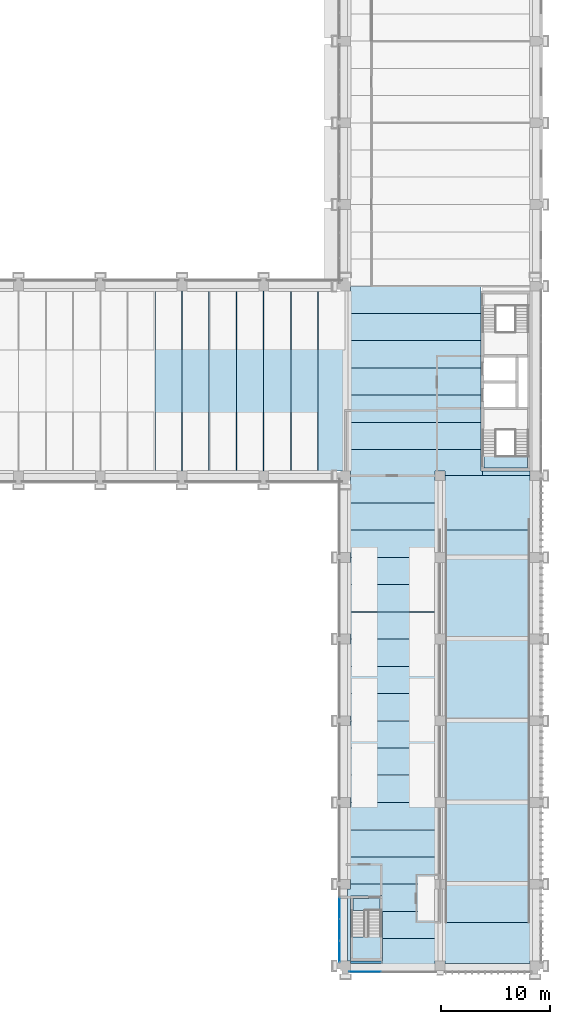
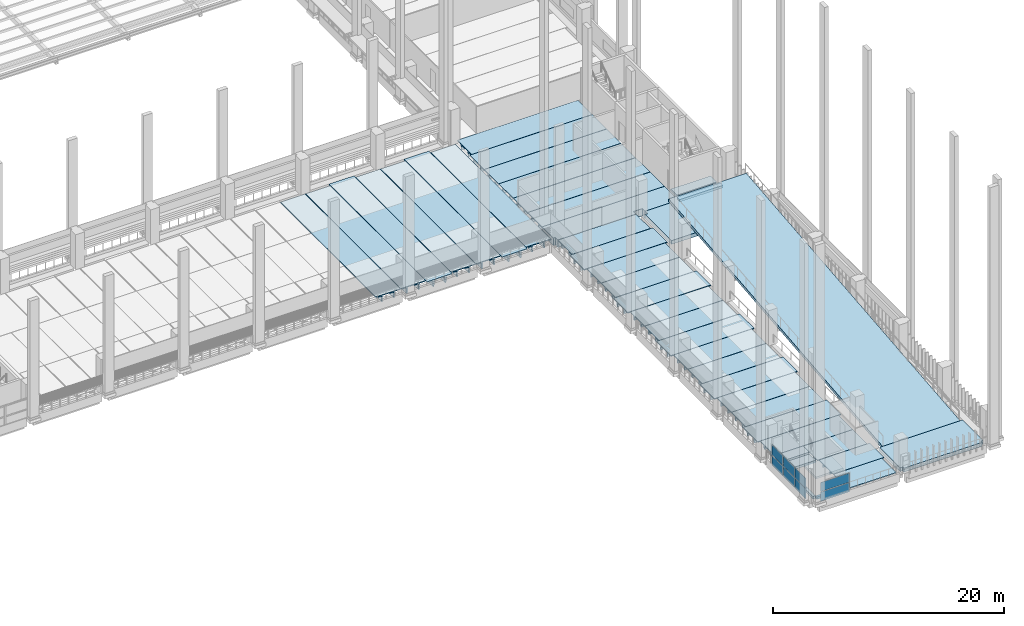
# One storey, part 32 of 67: 41 slabs, 8 plates, 3 elements without a shape of their own.
"""IFC4 building model written with IfcOpenShell, lengths in metres."""

from ifc_helpers import new_model, si_unit, direction, frame, origin, origin_2d, place, context, subcontext, project, spatial, polyline, rectangle, outline, extrude, material, layer, layer_set, material_profile, profile_set, type_object, element, aggregate, save


model = new_model("IFC4")

# Units and contexts
model_context = context("Model", 3, precision=1e-05, world=origin(), true_north=direction((0.0, 1.0)))
body_context = subcontext(model_context, "Body", "Model", "MODEL_VIEW")
ifc_project = project(units=[si_unit("LENGTHUNIT", "METRE"), si_unit("AREAUNIT", "SQUARE_METRE"), si_unit("VOLUMEUNIT", "CUBIC_METRE"), si_unit("PLANEANGLEUNIT", "RADIAN"), si_unit("MASSUNIT", "GRAM", prefix="KILO")], contexts=[model_context])

# Site, building, storey
site_placement = place(None, origin())
site = spatial("IfcSite", under=ifc_project, at=site_placement, CompositionType="ELEMENT")
building_placement = place(site_placement, origin())
building = spatial("IfcBuilding", under=site, at=building_placement, Name="Cour d'Honneur Mobility Palace", CompositionType="ELEMENT")
storey_placement = place(building_placement, frame((0.0, 0.0, 4.5)))
storey = spatial("IfcBuildingStorey", under=building, at=storey_placement, Name="L01", CompositionType="ELEMENT", Elevation=4.5)

# Slabs
ifc_material_1 = material(Name="Concrete C50", Category="concrete")
ifc_layer_1 = layer(ifc_material_1, 0.25)
ifc_layer_set_1 = layer_set([ifc_layer_1], Name="Concrete C50")
slab_type_1 = type_object("IfcSlabType", Name="Cast-in-place Slab 250", PredefinedType="FLOOR", material=ifc_layer_set_1)
slab_1_placement = place(storey_placement, frame((0.0, 0.0, -0.25)))
element("IfcSlab", 1, at=slab_1_placement, inside=storey, type_object=slab_type_1, Name="Cast-in-place slab S1 L01 core", PredefinedType="FLOOR", context=body_context, shape_type="SweptSolid", body=[
    extrude(outline(polyline([(161.85009765625, 45.0), (157.5, 45.0), (157.5, 45.449951171875), (161.85009765625, 45.449951171875), (161.85009765625, 45.0)])), origin(), (0.0, 0.0, 1.0), 0.25),
])
slab_2_placement = place(storey_placement, frame((0.0, 0.0, -0.25)))
element("IfcSlab", 2, at=slab_2_placement, inside=storey, type_object=slab_type_1, Name="Cast-in-place slab S1 L01 core", PredefinedType="FLOOR", context=body_context, shape_type="SweptSolid", body=[
    extrude(outline(polyline([(157.625, 46.77490234375), (161.60009765625, 46.77490234375), (161.60009765625, 45.699951171875), (157.625, 45.699951171875), (157.625, 46.77490234375)])), origin(), (0.0, 0.0, 1.0), 0.25),
])
slab_3_placement = place(storey_placement, frame((0.0, 0.0, -0.25)))
element("IfcSlab", 3, at=slab_3_placement, inside=storey, type_object=slab_type_1, Name="Cast-in-place slab S1 L01 stair strip", PredefinedType="FLOOR", context=body_context, shape_type="SweptSolid", body=[
    extrude(outline(polyline([(145.35009765625, 0.449951171875), (148.199951171875, 0.449951171875), (148.199951171875, 0.22509765625), (145.35009765625, 0.22509765625), (145.35009765625, 0.449951171875)])), origin(), (0.0, 0.0, 1.0), 0.25),
])
slab_4_placement = place(storey_placement, frame((0.0, 0.0, -0.25)))
element("IfcSlab", 4, at=slab_4_placement, inside=storey, type_object=slab_type_1, Name="Cast-in-place slab S1 L01 stair strip", PredefinedType="FLOOR", context=body_context, shape_type="SweptSolid", body=[
    extrude(outline(polyline([(145.35009765625, 6.425048828125), (145.35009765625, 0.449951171875), (145.10009765625, 0.449951171875), (145.10009765625, 7.050048828125), (145.35009765625, 7.050048828125), (145.35009765625, 7.5), (148.199951171875, 7.5), (148.199951171875, 6.425048828125), (145.35009765625, 6.425048828125)])), origin(), (0.0, 0.0, 1.0), 0.25),
])
slab_5_placement = place(storey_placement, frame((0.0, 0.0, -0.25)))
element("IfcSlab", 5, at=slab_5_placement, inside=storey, type_object=slab_type_1, Name="Cast-in-place slab S1 L01 stair strip", PredefinedType="FLOOR", context=body_context, shape_type="SweptSolid", body=[
    extrude(outline(polyline([(145.60009765625, 5.10009765625), (145.60009765625, 6.175048828125), (148.074951171875, 6.175048828125), (148.074951171875, 5.10009765625), (145.60009765625, 5.10009765625)])), origin(), (0.0, 0.0, 1.0), 0.25),
])
ifc_material_2 = material(Name="Concrete C50", Category="concrete")
ifc_layer_2 = layer(ifc_material_2, 0.39990234375)
ifc_layer_set_2 = layer_set([ifc_layer_2], Name="Concrete C50")
slab_type_2 = type_object("IfcSlabType", Name="Cast-in-place Slab 400", PredefinedType="LANDING", material=ifc_layer_set_2)
slab_6_placement = place(storey_placement, frame((0.0, 0.0, -0.39990234375)))
element("IfcSlab", 6, at=slab_6_placement, inside=storey, type_object=slab_type_2, Name="Cast-in-place slab S3 L01 landing", PredefinedType="LANDING", context=body_context, shape_type="SweptSolid", body=[
    extrude(outline(polyline([(161.85009765625, 0.449951171875), (161.85009765625, 0.22509765625), (154.050048828125, 0.22509765625), (154.050048828125, 0.449951171875), (153.800048828125, 0.449951171875), (153.800048828125, 4.0), (162.10009765625, 4.0), (162.10009765625, 0.449951171875), (161.85009765625, 0.449951171875)])), origin(), (0.0, 0.0, 1.0), 0.39990234375),
])
slab_7_placement = place(storey_placement, frame((0.0, 0.0, -0.39990234375)))
element("IfcSlab", 7, at=slab_7_placement, inside=storey, type_object=slab_type_2, Name="Cast-in-place slab S3 L01 landing", PredefinedType="LANDING", context=body_context, shape_type="SweptSolid", body=[
    extrude(outline(polyline([(162.10009765625, 44.550048828125), (162.10009765625, 40.0), (153.800048828125, 40.0), (153.800048828125, 44.550048828125), (154.050048828125, 44.550048828125), (154.050048828125, 45.0), (161.85009765625, 45.0), (161.85009765625, 44.550048828125), (162.10009765625, 44.550048828125)])), origin(), (0.0, 0.0, 1.0), 0.39990234375),
])
ifc_material_3 = material(Name="Concrete C50", Category="concrete")
ifc_layer_3 = layer(ifc_material_3, 0.800048828125)
ifc_layer_set_3 = layer_set([ifc_layer_3], Name="Concrete C50")
slab_type_3 = type_object("IfcSlabType", Name="Cast-in-place Slab 800", PredefinedType="FLOOR", material=ifc_layer_set_3)
slab_8_placement = place(storey_placement, frame((0.0, 0.0, -0.800048828125)))
element("IfcSlab", 8, at=slab_8_placement, inside=storey, type_object=slab_type_3, Name="Cast-in-place slab S2 L01 closure", PredefinedType="FLOOR", context=body_context, shape_type="SweptSolid", body=[
    extrude(outline(polyline([(154.050048828125, 45.449951171875), (153.14990234375, 45.449951171875), (153.14990234375, 45.0), (145.35009765625, 45.0), (145.35009765625, 45.449951171875), (145.14990234375, 45.449951171875), (145.14990234375, 47.39990234375), (157.375, 47.39990234375), (157.375, 45.449951171875), (157.5, 45.449951171875), (157.5, 45.0), (154.050048828125, 45.0), (154.050048828125, 45.449951171875)])), origin(), (0.0, 0.0, 1.0), 0.800048828125),
])

# Curtain wall, plates
ifc_material_4 = material(Name="Aluminium and glass", Category="aluminium")
ifc_layer_4 = layer(ifc_material_4, 0.10009765625)
ifc_layer_set_4 = layer_set([ifc_layer_4], Name="Aluminium and glass")
curtain_wall_type = type_object("IfcCurtainWallType", Name="Curtain wall run", PredefinedType="NOTDEFINED", material=ifc_layer_set_4)
curtain_wall_1_placement = place(storey_placement, origin())
curtain_wall_1 = element("IfcCurtainWall", 9, at=curtain_wall_1_placement, inside=storey, type_object=curtain_wall_type, Name="Curtain wall CW-135", PredefinedType="NOTDEFINED")
ifc_material_5 = material(Name="Double glazing", Category="glass")
ifc_layer_5 = layer(ifc_material_5, 0.028076171875)
ifc_layer_set_5 = layer_set([ifc_layer_5], Name="Double glazing")
plate_type = type_object("IfcPlateType", Name="Curtain wall panel", PredefinedType="CURTAIN_PANEL", material=ifc_layer_set_5)
plate_1_placement = place(storey_placement, frame((144.35009765625, 5.284912109375, 0.06005859375), z_axis=(0.0, 0.0, 1.0), x_axis=(0.0, -1.0, 0.0)))
plate_1 = element("IfcPlate", 10, at=plate_1_placement, type_object=plate_type, Name="CW-135 panel 1.1", PredefinedType="CURTAIN_PANEL", context=body_context, shape_type="SweptSolid", body=[
    extrude(rectangle(XDim=1.909912109375, YDim=0.028076171875, at=origin_2d()), origin(), (0.0, 0.0, 1.0), 1.06005859375),
])
plate_2_placement = place(storey_placement, frame((144.35009765625, 5.284912109375, 1.179931640625), z_axis=(0.0, 0.0, 1.0), x_axis=(0.0, -1.0, 0.0)))
plate_2 = element("IfcPlate", 11, at=plate_2_placement, type_object=plate_type, Name="CW-135 panel 1.2", PredefinedType="CURTAIN_PANEL", context=body_context, shape_type="SweptSolid", body=[
    extrude(rectangle(XDim=1.909912109375, YDim=0.028076171875, at=origin_2d()), origin(), (0.0, 0.0, 1.0), 1.06005859375),
])
plate_3_placement = place(storey_placement, frame((144.35009765625, 3.300048828125, 0.06005859375), z_axis=(0.0, 0.0, 1.0), x_axis=(0.0, -1.0, 0.0)))
plate_3 = element("IfcPlate", 12, at=plate_3_placement, type_object=plate_type, Name="CW-135 panel 2.1", PredefinedType="CURTAIN_PANEL", context=body_context, shape_type="SweptSolid", body=[
    extrude(rectangle(XDim=1.93994140625, YDim=0.028076171875, at=origin_2d()), origin(), (0.0, 0.0, 1.0), 1.06005859375),
])
plate_4_placement = place(storey_placement, frame((144.35009765625, 3.300048828125, 1.179931640625), z_axis=(0.0, 0.0, 1.0), x_axis=(0.0, -1.0, 0.0)))
plate_4 = element("IfcPlate", 13, at=plate_4_placement, type_object=plate_type, Name="CW-135 panel 2.2", PredefinedType="CURTAIN_PANEL", context=body_context, shape_type="SweptSolid", body=[
    extrude(rectangle(XDim=1.93994140625, YDim=0.028076171875, at=origin_2d()), origin(), (0.0, 0.0, 1.0), 1.06005859375),
])
plate_5_placement = place(storey_placement, frame((144.35009765625, 1.31494140625, 0.06005859375), z_axis=(0.0, 0.0, 1.0), x_axis=(0.0, -1.0, 0.0)))
plate_5 = element("IfcPlate", 14, at=plate_5_placement, type_object=plate_type, Name="CW-135 panel 3.1", PredefinedType="CURTAIN_PANEL", context=body_context, shape_type="SweptSolid", body=[
    extrude(rectangle(XDim=1.909912109375, YDim=0.028076171875, at=origin_2d()), origin(), (0.0, 0.0, 1.0), 1.06005859375),
])
plate_6_placement = place(storey_placement, frame((144.35009765625, 1.31494140625, 1.179931640625), z_axis=(0.0, 0.0, 1.0), x_axis=(0.0, -1.0, 0.0)))
plate_6 = element("IfcPlate", 15, at=plate_6_placement, type_object=plate_type, Name="CW-135 panel 3.2", PredefinedType="CURTAIN_PANEL", context=body_context, shape_type="SweptSolid", body=[
    extrude(rectangle(XDim=1.909912109375, YDim=0.028076171875, at=origin_2d()), origin(), (0.0, 0.0, 1.0), 1.06005859375),
])
aggregate(curtain_wall_1, [plate_1, plate_2, plate_3, plate_4, plate_5, plate_6])

curtain_wall_2_placement = place(storey_placement, origin())
curtain_wall_2 = element("IfcCurtainWall", 16, at=curtain_wall_2_placement, inside=storey, type_object=curtain_wall_type, Name="Curtain wall CW-136", PredefinedType="NOTDEFINED")
plate_7_placement = place(storey_placement, frame((146.699951171875, -0.550048828125, 0.06005859375), z_axis=(0.0, 0.0, 1.0), x_axis=(1.0, 0.0, 0.0)))
plate_7 = element("IfcPlate", 17, at=plate_7_placement, type_object=plate_type, Name="CW-136 panel 1.1", PredefinedType="CURTAIN_PANEL", context=body_context, shape_type="SweptSolid", body=[
    extrude(rectangle(XDim=2.8798828125, YDim=0.028076171875, at=origin_2d()), origin(), (0.0, 0.0, 1.0), 0.9599609375),
])
plate_8_placement = place(storey_placement, frame((146.699951171875, -0.550048828125, 1.080078125), z_axis=(0.0, 0.0, 1.0), x_axis=(1.0, 0.0, 0.0)))
plate_8 = element("IfcPlate", 18, at=plate_8_placement, type_object=plate_type, Name="CW-136 panel 1.2", PredefinedType="CURTAIN_PANEL", context=body_context, shape_type="SweptSolid", body=[
    extrude(rectangle(XDim=2.8798828125, YDim=0.028076171875, at=origin_2d()), origin(), (0.0, 0.0, 1.0), 0.9599609375),
])
aggregate(curtain_wall_2, [plate_7, plate_8])

# Slabs
ifc_material_6 = material(Name="Concrete C45", Category="concrete")
ifc_material_profile_1 = material_profile(ifc_material_6, outline(polyline([(-1.2451171875, 0.0), (1.2451171875, 0.0), (1.2451171875, -0.074951171875), (0.659912109375, -0.074951171875), (0.639892578125, -0.39990234375), (0.56005859375, -0.39990234375), (0.5400390625, -0.074951171875), (-0.5400390625, -0.074951171875), (-0.56005859375, -0.39990234375), (-0.639892578125, -0.39990234375), (-0.659912109375, -0.074951171875), (-1.2451171875, -0.074951171875), (-1.2451171875, 0.0)])), Name="DT 2490x400")
ifc_profile_set_1 = profile_set([ifc_material_profile_1], Name="Concrete C45")
slab_type_4 = type_object("IfcSlabType", Name="DT 2490x400", PredefinedType="FLOOR", material=ifc_profile_set_1)
slab_9_placement = place(storey_placement, frame((148.324951171875, 1.25, 0.0), z_axis=(1.0, 0.0, 0.0), x_axis=(0.0, 1.0, 0.0)))
element("IfcSlab", 19, at=slab_9_placement, inside=storey, type_object=slab_type_4, Name="Double tee DT-SE1 L01", PredefinedType="FLOOR", context=body_context, shape_type="SweptSolid", body=[
    extrude(outline(polyline([(-1.2451171875, 0.0), (1.2451171875, 0.0), (1.2451171875, -0.074951171875), (0.659912109375, -0.074951171875), (0.639892578125, -0.39990234375), (0.56005859375, -0.39990234375), (0.5400390625, -0.074951171875), (-0.5400390625, -0.074951171875), (-0.56005859375, -0.39990234375), (-0.639892578125, -0.39990234375), (-0.659912109375, -0.074951171875), (-1.2451171875, -0.074951171875), (-1.2451171875, 0.0)])), origin(), (0.0, 0.0, 1.0), 4.824951171875),
])
slab_10_placement = place(storey_placement, frame((148.324951171875, 3.75, 0.0), z_axis=(1.0, 0.0, 0.0), x_axis=(0.0, 1.0, 0.0)))
element("IfcSlab", 20, at=slab_10_placement, inside=storey, type_object=slab_type_4, Name="Double tee DT-SE2 L01", PredefinedType="FLOOR", context=body_context, shape_type="SweptSolid", body=[
    extrude(outline(polyline([(-1.2451171875, 0.0), (1.2451171875, 0.0), (1.2451171875, -0.074951171875), (0.659912109375, -0.074951171875), (0.639892578125, -0.39990234375), (0.56005859375, -0.39990234375), (0.5400390625, -0.074951171875), (-0.5400390625, -0.074951171875), (-0.56005859375, -0.39990234375), (-0.639892578125, -0.39990234375), (-0.659912109375, -0.074951171875), (-1.2451171875, -0.074951171875), (-1.2451171875, 0.0)])), origin(), (0.0, 0.0, 1.0), 5.074951171875),
])
slab_11_placement = place(storey_placement, frame((148.199951171875, 6.25, 0.0), z_axis=(1.0, 0.0, 0.0), x_axis=(0.0, 1.0, 0.0)))
element("IfcSlab", 21, at=slab_11_placement, inside=storey, type_object=slab_type_4, Name="Double tee DT-SE3 L01", PredefinedType="FLOOR", context=body_context, shape_type="SweptSolid", body=[
    extrude(outline(polyline([(-1.2451171875, 0.0), (1.2451171875, 0.0), (1.2451171875, -0.074951171875), (0.659912109375, -0.074951171875), (0.639892578125, -0.39990234375), (0.56005859375, -0.39990234375), (0.5400390625, -0.074951171875), (-0.5400390625, -0.074951171875), (-0.56005859375, -0.39990234375), (-0.639892578125, -0.39990234375), (-0.659912109375, -0.074951171875), (-1.2451171875, -0.074951171875), (-1.2451171875, 0.0)])), origin(), (0.0, 0.0, 1.0), 4.949951171875),
])
ifc_material_7 = material(Name="Concrete C45", Category="concrete")
ifc_material_profile_2 = material_profile(ifc_material_7, outline(polyline([(-1.2451171875, 0.0), (1.2451171875, 0.0), (1.2451171875, -0.10009765625), (0.669921875, -0.10009765625), (0.64501953125, -0.5), (0.554931640625, -0.5), (0.530029296875, -0.10009765625), (-0.530029296875, -0.10009765625), (-0.554931640625, -0.5), (-0.64501953125, -0.5), (-0.669921875, -0.10009765625), (-1.2451171875, -0.10009765625), (-1.2451171875, 0.0)])), Name="DT 2490x500")
ifc_profile_set_2 = profile_set([ifc_material_profile_2], Name="Concrete C45")
slab_type_5 = type_object("IfcSlabType", Name="DT 2490x500", PredefinedType="FLOOR", material=ifc_profile_set_2)
slab_12_placement = place(storey_placement, frame((145.35009765625, 8.75, 0.0), z_axis=(1.0, 0.0, 0.0), x_axis=(0.0, 1.0, 0.0)))
element("IfcSlab", 22, at=slab_12_placement, inside=storey, type_object=slab_type_5, Name="Double tee DT-SE4 L01", PredefinedType="FLOOR", context=body_context, shape_type="SweptSolid", body=[
    extrude(outline(polyline([(-1.2451171875, 0.0), (1.2451171875, 0.0), (1.2451171875, -0.10009765625), (0.669921875, -0.10009765625), (0.64501953125, -0.5), (0.554931640625, -0.5), (0.530029296875, -0.10009765625), (-0.530029296875, -0.10009765625), (-0.554931640625, -0.5), (-0.64501953125, -0.5), (-0.669921875, -0.10009765625), (-1.2451171875, -0.10009765625), (-1.2451171875, 0.0)])), origin(), (0.0, 0.0, 1.0), 7.7998046875),
])
slab_13_placement = place(storey_placement, frame((145.10009765625, 11.25, 0.0), z_axis=(1.0, 0.0, 0.0), x_axis=(0.0, 1.0, 0.0)))
element("IfcSlab", 23, at=slab_13_placement, inside=storey, type_object=slab_type_5, Name="Double tee DT-SE5 L01", PredefinedType="FLOOR", context=body_context, shape_type="SweptSolid", body=[
    extrude(outline(polyline([(-1.2451171875, 0.0), (1.2451171875, 0.0), (1.2451171875, -0.10009765625), (0.669921875, -0.10009765625), (0.64501953125, -0.5), (0.554931640625, -0.5), (0.530029296875, -0.10009765625), (-0.530029296875, -0.10009765625), (-0.554931640625, -0.5), (-0.64501953125, -0.5), (-0.669921875, -0.10009765625), (-1.2451171875, -0.10009765625), (-1.2451171875, 0.0)])), origin(), (0.0, 0.0, 1.0), 8.2998046875),
])
for number, where, z_axis, x_axis, name in (
    (24, (145.35009765625, 13.75, 0.0), (1.0, 0.0, 0.0), (0.0, 1.0, 0.0), "Double tee DT-SE6 L01"),
    (25, (145.35009765625, 16.25, 0.0), (1.0, 0.0, 0.0), (0.0, 1.0, 0.0), "Double tee DT-SE7 L01"),
):
    element("IfcSlab", number, at=place(storey_placement, frame(where, z_axis=z_axis, x_axis=x_axis)), inside=storey, type_object=slab_type_5, Name=name, PredefinedType="FLOOR", context=body_context, shape_type="SweptSolid", body=[
        extrude(outline(polyline([(-1.2451171875, 0.0), (1.2451171875, 0.0), (1.2451171875, -0.10009765625), (0.669921875, -0.10009765625), (0.64501953125, -0.5), (0.554931640625, -0.5), (0.530029296875, -0.10009765625), (-0.530029296875, -0.10009765625), (-0.554931640625, -0.5), (-0.64501953125, -0.5), (-0.669921875, -0.10009765625), (-1.2451171875, -0.10009765625), (-1.2451171875, 0.0)])), origin(), (0.0, 0.0, 1.0), 7.7998046875),
    ])
slab_14_placement = place(storey_placement, frame((145.10009765625, 18.75, 0.0), z_axis=(1.0, 0.0, 0.0), x_axis=(0.0, 1.0, 0.0)))
element("IfcSlab", 26, at=slab_14_placement, inside=storey, type_object=slab_type_5, Name="Double tee DT-SE8 L01", PredefinedType="FLOOR", context=body_context, shape_type="SweptSolid", body=[
    extrude(outline(polyline([(-1.2451171875, 0.0), (1.2451171875, 0.0), (1.2451171875, -0.10009765625), (0.669921875, -0.10009765625), (0.64501953125, -0.5), (0.554931640625, -0.5), (0.530029296875, -0.10009765625), (-0.530029296875, -0.10009765625), (-0.554931640625, -0.5), (-0.64501953125, -0.5), (-0.669921875, -0.10009765625), (-1.2451171875, -0.10009765625), (-1.2451171875, 0.0)])), origin(), (0.0, 0.0, 1.0), 8.2998046875),
])
for number, where, z_axis, x_axis, name in (
    (27, (145.35009765625, 21.25, 0.0), (1.0, 0.0, 0.0), (0.0, 1.0, 0.0), "Double tee DT-SE9 L01"),
    (28, (145.35009765625, 23.75, 0.0), (1.0, 0.0, 0.0), (0.0, 1.0, 0.0), "Double tee DT-SE10 L01"),
):
    element("IfcSlab", number, at=place(storey_placement, frame(where, z_axis=z_axis, x_axis=x_axis)), inside=storey, type_object=slab_type_5, Name=name, PredefinedType="FLOOR", context=body_context, shape_type="SweptSolid", body=[
        extrude(outline(polyline([(-1.2451171875, 0.0), (1.2451171875, 0.0), (1.2451171875, -0.10009765625), (0.669921875, -0.10009765625), (0.64501953125, -0.5), (0.554931640625, -0.5), (0.530029296875, -0.10009765625), (-0.530029296875, -0.10009765625), (-0.554931640625, -0.5), (-0.64501953125, -0.5), (-0.669921875, -0.10009765625), (-1.2451171875, -0.10009765625), (-1.2451171875, 0.0)])), origin(), (0.0, 0.0, 1.0), 7.7998046875),
    ])
slab_15_placement = place(storey_placement, frame((145.10009765625, 26.25, 0.0), z_axis=(1.0, 0.0, 0.0), x_axis=(0.0, 1.0, 0.0)))
element("IfcSlab", 29, at=slab_15_placement, inside=storey, type_object=slab_type_5, Name="Double tee DT-SE11 L01", PredefinedType="FLOOR", context=body_context, shape_type="SweptSolid", body=[
    extrude(outline(polyline([(-1.2451171875, 0.0), (1.2451171875, 0.0), (1.2451171875, -0.10009765625), (0.669921875, -0.10009765625), (0.64501953125, -0.5), (0.554931640625, -0.5), (0.530029296875, -0.10009765625), (-0.530029296875, -0.10009765625), (-0.554931640625, -0.5), (-0.64501953125, -0.5), (-0.669921875, -0.10009765625), (-1.2451171875, -0.10009765625), (-1.2451171875, 0.0)])), origin(), (0.0, 0.0, 1.0), 8.2998046875),
])
for number, where, z_axis, x_axis, name in (
    (30, (145.35009765625, 28.75, 0.0), (1.0, 0.0, 0.0), (0.0, 1.0, 0.0), "Double tee DT-SE12 L01"),
    (31, (145.35009765625, 31.25, 0.0), (1.0, 0.0, 0.0), (0.0, 1.0, 0.0), "Double tee DT-SE13 L01"),
):
    element("IfcSlab", number, at=place(storey_placement, frame(where, z_axis=z_axis, x_axis=x_axis)), inside=storey, type_object=slab_type_5, Name=name, PredefinedType="FLOOR", context=body_context, shape_type="SweptSolid", body=[
        extrude(outline(polyline([(-1.2451171875, 0.0), (1.2451171875, 0.0), (1.2451171875, -0.10009765625), (0.669921875, -0.10009765625), (0.64501953125, -0.5), (0.554931640625, -0.5), (0.530029296875, -0.10009765625), (-0.530029296875, -0.10009765625), (-0.554931640625, -0.5), (-0.64501953125, -0.5), (-0.669921875, -0.10009765625), (-1.2451171875, -0.10009765625), (-1.2451171875, 0.0)])), origin(), (0.0, 0.0, 1.0), 7.7998046875),
    ])
slab_16_placement = place(storey_placement, frame((145.10009765625, 33.75, 0.0), z_axis=(1.0, 0.0, 0.0), x_axis=(0.0, 1.0, 0.0)))
element("IfcSlab", 32, at=slab_16_placement, inside=storey, type_object=slab_type_5, Name="Double tee DT-SE14 L01", PredefinedType="FLOOR", context=body_context, shape_type="SweptSolid", body=[
    extrude(outline(polyline([(-1.2451171875, 0.0), (1.2451171875, 0.0), (1.2451171875, -0.10009765625), (0.669921875, -0.10009765625), (0.64501953125, -0.5), (0.554931640625, -0.5), (0.530029296875, -0.10009765625), (-0.530029296875, -0.10009765625), (-0.554931640625, -0.5), (-0.64501953125, -0.5), (-0.669921875, -0.10009765625), (-1.2451171875, -0.10009765625), (-1.2451171875, 0.0)])), origin(), (0.0, 0.0, 1.0), 8.2998046875),
])
for number, where, z_axis, x_axis, name in (
    (33, (145.35009765625, 36.25, 0.0), (1.0, 0.0, 0.0), (0.0, 1.0, 0.0), "Double tee DT-SE15 L01"),
    (34, (145.35009765625, 38.75, 0.0), (1.0, 0.0, 0.0), (0.0, 1.0, 0.0), "Double tee DT-SE16 L01"),
):
    element("IfcSlab", number, at=place(storey_placement, frame(where, z_axis=z_axis, x_axis=x_axis)), inside=storey, type_object=slab_type_5, Name=name, PredefinedType="FLOOR", context=body_context, shape_type="SweptSolid", body=[
        extrude(outline(polyline([(-1.2451171875, 0.0), (1.2451171875, 0.0), (1.2451171875, -0.10009765625), (0.669921875, -0.10009765625), (0.64501953125, -0.5), (0.554931640625, -0.5), (0.530029296875, -0.10009765625), (-0.530029296875, -0.10009765625), (-0.554931640625, -0.5), (-0.64501953125, -0.5), (-0.669921875, -0.10009765625), (-1.2451171875, -0.10009765625), (-1.2451171875, 0.0)])), origin(), (0.0, 0.0, 1.0), 7.7998046875),
    ])
slab_17_placement = place(storey_placement, frame((145.10009765625, 41.25, 0.0), z_axis=(1.0, 0.0, 0.0), x_axis=(0.0, 1.0, 0.0)))
element("IfcSlab", 35, at=slab_17_placement, inside=storey, type_object=slab_type_5, Name="Double tee DT-SE17 L01", PredefinedType="FLOOR", context=body_context, shape_type="SweptSolid", body=[
    extrude(outline(polyline([(-1.2451171875, 0.0), (1.2451171875, 0.0), (1.2451171875, -0.10009765625), (0.669921875, -0.10009765625), (0.64501953125, -0.5), (0.554931640625, -0.5), (0.530029296875, -0.10009765625), (-0.530029296875, -0.10009765625), (-0.554931640625, -0.5), (-0.64501953125, -0.5), (-0.669921875, -0.10009765625), (-1.2451171875, -0.10009765625), (-1.2451171875, 0.0)])), origin(), (0.0, 0.0, 1.0), 8.2998046875),
])
slab_18_placement = place(storey_placement, frame((145.35009765625, 43.75, 0.0), z_axis=(1.0, 0.0, 0.0), x_axis=(0.0, 1.0, 0.0)))
element("IfcSlab", 36, at=slab_18_placement, inside=storey, type_object=slab_type_5, Name="Double tee DT-SE18 L01", PredefinedType="FLOOR", context=body_context, shape_type="SweptSolid", body=[
    extrude(outline(polyline([(-1.2451171875, 0.0), (1.2451171875, 0.0), (1.2451171875, -0.10009765625), (0.669921875, -0.10009765625), (0.64501953125, -0.5), (0.554931640625, -0.5), (0.530029296875, -0.10009765625), (-0.530029296875, -0.10009765625), (-0.554931640625, -0.5), (-0.64501953125, -0.5), (-0.669921875, -0.10009765625), (-1.2451171875, -0.10009765625), (-1.2451171875, 0.0)])), origin(), (0.0, 0.0, 1.0), 7.7998046875),
])
ifc_material_8 = material(Name="Concrete C45", Category="concrete")
ifc_material_profile_3 = material_profile(ifc_material_8, outline(polyline([(-1.2451171875, 0.0), (1.2451171875, 0.0), (1.2451171875, -0.10009765625), (0.679931640625, -0.10009765625), (0.64990234375, -0.64990234375), (0.550048828125, -0.64990234375), (0.52001953125, -0.10009765625), (-0.52001953125, -0.10009765625), (-0.550048828125, -0.64990234375), (-0.64990234375, -0.64990234375), (-0.679931640625, -0.10009765625), (-1.2451171875, -0.10009765625), (-1.2451171875, 0.0)])), Name="DT 2490x650")
ifc_profile_set_3 = profile_set([ifc_material_profile_3], Name="Concrete C45")
slab_type_6 = type_object("IfcSlabType", Name="DT 2490x650", PredefinedType="FLOOR", material=ifc_profile_set_3)
for number, where, z_axis, x_axis, name in (
    (37, (145.14990234375, 48.64990234375, 0.0), (1.0, 0.0, 0.0), (0.0, 1.0, 0.0), "Double tee DT-JE1 L01"),
    (38, (145.14990234375, 51.14990234375, 0.0), (1.0, 0.0, 0.0), (0.0, 1.0, 0.0), "Double tee DT-JE2 L01"),
    (39, (145.14990234375, 53.64990234375, 0.0), (1.0, 0.0, 0.0), (0.0, 1.0, 0.0), "Double tee DT-JE3 L01"),
    (40, (145.14990234375, 56.14990234375, 0.0), (1.0, 0.0, 0.0), (0.0, 1.0, 0.0), "Double tee DT-JE4 L01"),
    (41, (145.14990234375, 58.64990234375, 0.0), (1.0, 0.0, 0.0), (0.0, 1.0, 0.0), "Double tee DT-JE5 L01"),
):
    element("IfcSlab", number, at=place(storey_placement, frame(where, z_axis=z_axis, x_axis=x_axis)), inside=storey, type_object=slab_type_6, Name=name, PredefinedType="FLOOR", context=body_context, shape_type="SweptSolid", body=[
        extrude(outline(polyline([(-1.2451171875, 0.0), (1.2451171875, 0.0), (1.2451171875, -0.10009765625), (0.679931640625, -0.10009765625), (0.64990234375, -0.64990234375), (0.550048828125, -0.64990234375), (0.52001953125, -0.10009765625), (-0.52001953125, -0.10009765625), (-0.550048828125, -0.64990234375), (-0.64990234375, -0.64990234375), (-0.679931640625, -0.10009765625), (-1.2451171875, -0.10009765625), (-1.2451171875, 0.0)])), origin(), (0.0, 0.0, 1.0), 12.22509765625),
    ])
slab_19_placement = place(storey_placement, frame((145.35009765625, 61.14990234375, 0.0), z_axis=(1.0, 0.0, 0.0), x_axis=(0.0, 1.0, 0.0)))
element("IfcSlab", 42, at=slab_19_placement, inside=storey, type_object=slab_type_6, Name="Double tee DT-JE6 L01", PredefinedType="FLOOR", context=body_context, shape_type="SweptSolid", body=[
    extrude(outline(polyline([(-1.2451171875, 0.0), (1.2451171875, 0.0), (1.2451171875, -0.10009765625), (0.679931640625, -0.10009765625), (0.64990234375, -0.64990234375), (0.550048828125, -0.64990234375), (0.52001953125, -0.10009765625), (-0.52001953125, -0.10009765625), (-0.550048828125, -0.64990234375), (-0.64990234375, -0.64990234375), (-0.679931640625, -0.10009765625), (-1.2451171875, -0.10009765625), (-1.2451171875, 0.0)])), origin(), (0.0, 0.0, 1.0), 12.02490234375),
])
ifc_material_9 = material(Name="Concrete C45", Category="concrete")
ifc_material_profile_4 = material_profile(ifc_material_9, outline(polyline([(-1.2451171875, 0.0), (1.2451171875, 0.0), (1.2451171875, -0.10009765625), (0.679931640625, -0.10009765625), (0.64990234375, -0.75), (0.550048828125, -0.75), (0.52001953125, -0.10009765625), (-0.52001953125, -0.10009765625), (-0.550048828125, -0.75), (-0.64990234375, -0.75), (-0.679931640625, -0.10009765625), (-1.2451171875, -0.10009765625), (-1.2451171875, 0.0)])), Name="DT 2490x750")
ifc_profile_set_4 = profile_set([ifc_material_profile_4], Name="Concrete C45")
slab_type_7 = type_object("IfcSlabType", Name="DT 2490x750", PredefinedType="FLOOR", material=ifc_profile_set_4)
for number, where, z_axis, x_axis, name in (
    (43, (128.64990234375, 45.449951171875, 0.0), (0.0, 1.0, 0.0), (-1.0, 0.0, 0.0), "Double tee DT-C45 L01"),
    (44, (131.14990234375, 45.449951171875, 0.0), (0.0, 1.0, 0.0), (-1.0, 0.0, 0.0), "Double tee DT-C46 L01"),
):
    element("IfcSlab", number, at=place(storey_placement, frame(where, z_axis=z_axis, x_axis=x_axis)), inside=storey, type_object=slab_type_7, Name=name, PredefinedType="FLOOR", context=body_context, shape_type="SweptSolid", body=[
        extrude(outline(polyline([(-1.2451171875, 0.0), (1.2451171875, 0.0), (1.2451171875, -0.10009765625), (0.679931640625, -0.10009765625), (0.64990234375, -0.75), (0.550048828125, -0.75), (0.52001953125, -0.10009765625), (-0.52001953125, -0.10009765625), (-0.550048828125, -0.75), (-0.64990234375, -0.75), (-0.679931640625, -0.10009765625), (-1.2451171875, -0.10009765625), (-1.2451171875, 0.0)])), origin(), (0.0, 0.0, 1.0), 16.5),
    ])
slab_20_placement = place(storey_placement, frame((133.64990234375, 45.199951171875, 0.0), z_axis=(0.0, 1.0, 0.0), x_axis=(-1.0, 0.0, 0.0)))
element("IfcSlab", 45, at=slab_20_placement, inside=storey, type_object=slab_type_7, Name="Double tee DT-C47 L01", PredefinedType="FLOOR", context=body_context, shape_type="SweptSolid", body=[
    extrude(outline(polyline([(-1.2451171875, 0.0), (1.2451171875, 0.0), (1.2451171875, -0.10009765625), (0.679931640625, -0.10009765625), (0.64990234375, -0.75), (0.550048828125, -0.75), (0.52001953125, -0.10009765625), (-0.52001953125, -0.10009765625), (-0.550048828125, -0.75), (-0.64990234375, -0.75), (-0.679931640625, -0.10009765625), (-1.2451171875, -0.10009765625), (-1.2451171875, 0.0)])), origin(), (0.0, 0.0, 1.0), 17.0),
])
for number, where, z_axis, x_axis, name in (
    (46, (136.14990234375, 45.449951171875, 0.0), (0.0, 1.0, 0.0), (-1.0, 0.0, 0.0), "Double tee DT-C48 L01"),
    (47, (138.64990234375, 45.449951171875, 0.0), (0.0, 1.0, 0.0), (-1.0, 0.0, 0.0), "Double tee DT-C49 L01"),
):
    element("IfcSlab", number, at=place(storey_placement, frame(where, z_axis=z_axis, x_axis=x_axis)), inside=storey, type_object=slab_type_7, Name=name, PredefinedType="FLOOR", context=body_context, shape_type="SweptSolid", body=[
        extrude(outline(polyline([(-1.2451171875, 0.0), (1.2451171875, 0.0), (1.2451171875, -0.10009765625), (0.679931640625, -0.10009765625), (0.64990234375, -0.75), (0.550048828125, -0.75), (0.52001953125, -0.10009765625), (-0.52001953125, -0.10009765625), (-0.550048828125, -0.75), (-0.64990234375, -0.75), (-0.679931640625, -0.10009765625), (-1.2451171875, -0.10009765625), (-1.2451171875, 0.0)])), origin(), (0.0, 0.0, 1.0), 16.5),
    ])
slab_21_placement = place(storey_placement, frame((141.14990234375, 45.199951171875, 0.0), z_axis=(0.0, 1.0, 0.0), x_axis=(-1.0, 0.0, 0.0)))
element("IfcSlab", 48, at=slab_21_placement, inside=storey, type_object=slab_type_7, Name="Double tee DT-C50 L01", PredefinedType="FLOOR", context=body_context, shape_type="SweptSolid", body=[
    extrude(outline(polyline([(-1.2451171875, 0.0), (1.2451171875, 0.0), (1.2451171875, -0.10009765625), (0.679931640625, -0.10009765625), (0.64990234375, -0.75), (0.550048828125, -0.75), (0.52001953125, -0.10009765625), (-0.52001953125, -0.10009765625), (-0.550048828125, -0.75), (-0.64990234375, -0.75), (-0.679931640625, -0.10009765625), (-1.2451171875, -0.10009765625), (-1.2451171875, 0.0)])), origin(), (0.0, 0.0, 1.0), 17.0),
])
slab_22_placement = place(storey_placement, frame((143.64990234375, 45.449951171875, 0.0), z_axis=(0.0, 1.0, 0.0), x_axis=(-1.0, 0.0, 0.0)))
element("IfcSlab", 49, at=slab_22_placement, inside=storey, type_object=slab_type_7, Name="Double tee DT-C51 L01", PredefinedType="FLOOR", context=body_context, shape_type="SweptSolid", body=[
    extrude(outline(polyline([(-1.2451171875, 0.0), (1.2451171875, 0.0), (1.2451171875, -0.10009765625), (0.679931640625, -0.10009765625), (0.64990234375, -0.75), (0.550048828125, -0.75), (0.52001953125, -0.10009765625), (-0.52001953125, -0.10009765625), (-0.550048828125, -0.75), (-0.64990234375, -0.75), (-0.679931640625, -0.10009765625), (-1.2451171875, -0.10009765625), (-1.2451171875, 0.0)])), origin(), (0.0, 0.0, 1.0), 16.5),
])

# Stair, slab
ifc_material_10 = material(Name="Concrete C50", Category="concrete")
stair_type = type_object("IfcStairType", Name="Stair 20 risers", PredefinedType="HALF_TURN_STAIR", material=ifc_material_10)
stair_placement = place(storey_placement, origin())
stair = element("IfcStair", 50, at=stair_placement, inside=storey, type_object=stair_type, Name="Stair ST-RE1", PredefinedType="HALF_TURN_STAIR")
ifc_material_11 = material(Name="Concrete C50", Category="concrete")
ifc_layer_6 = layer(ifc_material_11, 0.199951171875)
ifc_layer_set_6 = layer_set([ifc_layer_6], Name="Concrete C50")
slab_type_8 = type_object("IfcSlabType", Name="Stair landing", PredefinedType="LANDING", material=ifc_layer_set_6)
slab_23_placement = place(storey_placement, frame((0.0, 0.0, 1.64990234375)))
slab_23 = element("IfcSlab", 51, at=slab_23_placement, type_object=slab_type_8, Name="ST-RE1 landing 1", PredefinedType="LANDING", context=body_context, shape_type="SweptSolid", body=[
    extrude(outline(polyline([(145.47509765625, 0.574951171875), (148.199951171875, 0.574951171875), (148.199951171875, 2.669921875), (145.47509765625, 2.669921875), (145.47509765625, 0.574951171875)])), origin(), (0.0, 0.0, 1.0), 0.2001953125),
])
aggregate(stair, [slab_23])

# Slab
ifc_material_12 = material(Name="Concrete C45", Category="concrete")
ifc_layer_7 = layer(ifc_material_12, 0.300048828125)
ifc_layer_set_7 = layer_set([ifc_layer_7], Name="Concrete C45")
slab_type_9 = type_object("IfcSlabType", Name="Vehicle ramp slab 300", PredefinedType="USERDEFINED", material=ifc_layer_set_7)
slab_24_placement = place(storey_placement, frame((154.10009765625, 4.0, 0.0), z_axis=(0.0, -0.099502418892, 0.995037320222), x_axis=(1.0, 0.0, 0.0)))
element("IfcSlab", 52, at=slab_24_placement, inside=storey, type_object=slab_type_9, Name="Vehicle ramp East 2 slab", ObjectType="VEHICLE RAMP SLAB", PredefinedType="USERDEFINED", context=body_context, shape_type="SweptSolid", body=[
    extrude(outline(polyline([(0.0, 0.0), (7.75, 0.0), (7.75, 37.184534939599004), (0.0, 37.184534939599004), (0.0, 0.0)])), origin(), (0.0, 0.0, -1.0), 0.300048828125),
])

save(model, "model.ifc")
